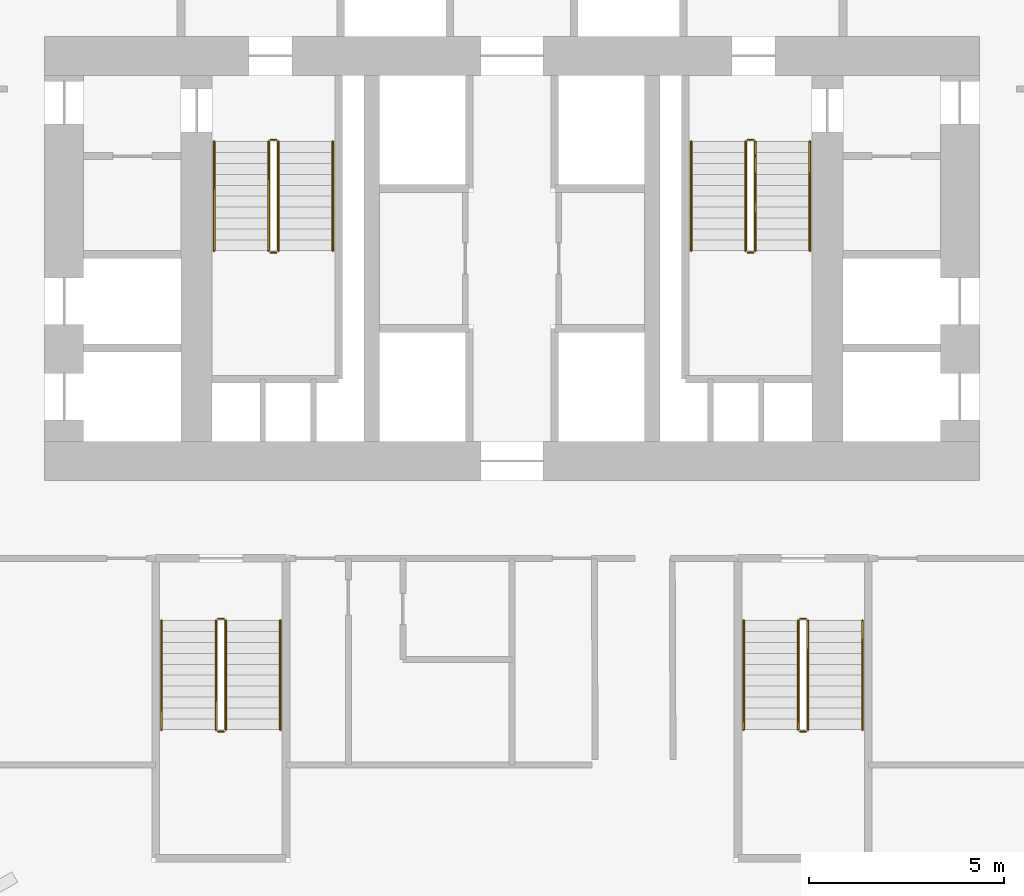
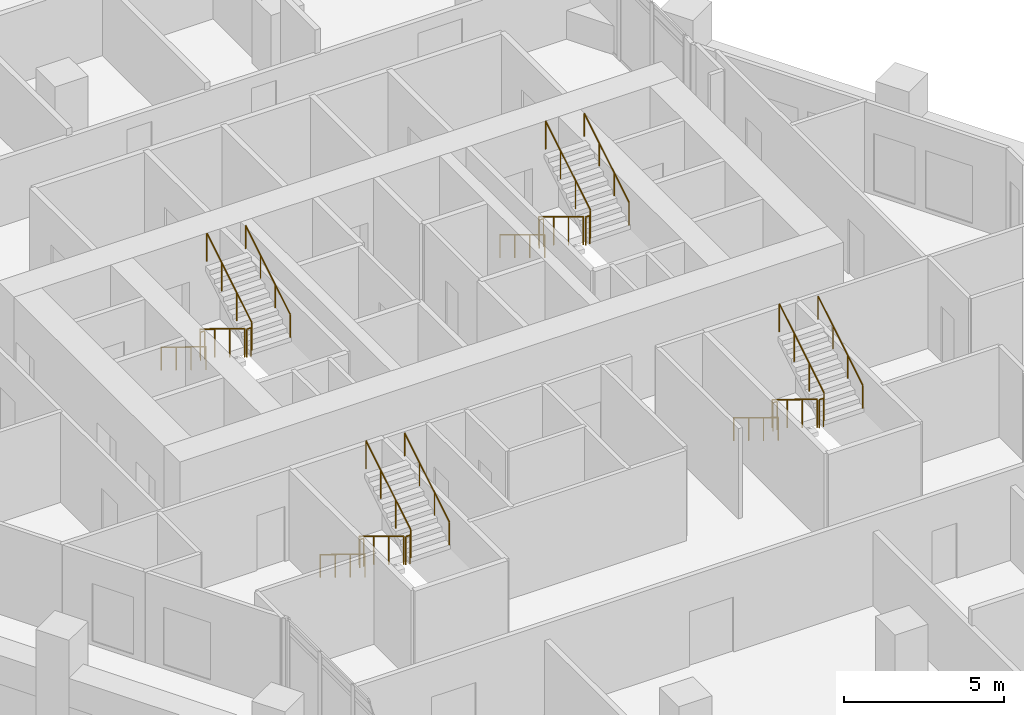
# One storey, part 28 of 28: 24 railings.
"""IFC4 building model written with IfcOpenShell, lengths in metres."""

from ifc_helpers import new_model, si_unit, direction, frame, origin, origin_2d, place, context, subcontext, project, spatial, circle, extrude, material, type_object, element, save


model = new_model("IFC4")

# Units and contexts
model_context = context("Model", 3, precision=1e-05, world=origin(), true_north=direction((0.0, 1.0)))
body_context = subcontext(model_context, "Body", "Model", "MODEL_VIEW")
ifc_project = project(units=[si_unit("LENGTHUNIT", "METRE"), si_unit("AREAUNIT", "SQUARE_METRE"), si_unit("VOLUMEUNIT", "CUBIC_METRE"), si_unit("PLANEANGLEUNIT", "RADIAN"), si_unit("MASSUNIT", "GRAM", prefix="KILO")], contexts=[model_context])

# Site, building, storey
site_placement = place(None, origin())
site = spatial("IfcSite", under=ifc_project, at=site_placement, CompositionType="ELEMENT")
building_placement = place(site_placement, origin())
building = spatial("IfcBuilding", under=site, at=building_placement, Name="Ostrander Bayou Hotel Tower", CompositionType="ELEMENT")
storey_placement = place(building_placement, frame((0.0, 0.0, 104.25)))
storey = spatial("IfcBuildingStorey", under=building, at=storey_placement, Name="L26", CompositionType="ELEMENT", Elevation=104.25)

# Railings
ifc_material_1 = material(Name="Steel ASTM A500 Gr C", Category="steel")
railing_type_1 = type_object("IfcRailingType", Name="GR1 stair guard 1100 mm steel", PredefinedType="GUARDRAIL", material=ifc_material_1)
railing_1_placement = place(storey_placement, frame((-6.25, 7.0, 0.17041015625)))
element("IfcRailing", 1, at=railing_1_placement, inside=storey, type_object=railing_type_1, Name="L26 STA stair guard 1", PredefinedType="GUARDRAIL", context=body_context, shape_type="SweptSolid", body=[
    extrude(circle(Radius=0.02392578125, at=origin_2d()), frame((0.0, 0.0, 1.076171875), z_axis=(0.0, -0.854169791009, 0.51999420009), x_axis=(1.0, 0.0, 0.0)), (0.0, 0.0, 1.0), 3.278076171875),
    extrude(circle(Radius=0.02099609375, at=origin_2d()), origin(), (0.0, 0.0, 1.0), 1.052001953125),
    extrude(circle(Radius=0.02099609375, at=origin_2d()), frame((0.0, -0.933349609375, 0.568115234375)), (0.0, 0.0, 1.0), 1.052001953125),
    extrude(circle(Radius=0.02099609375, at=origin_2d()), frame((0.0, -1.86669921875, 1.136474609375)), (0.0, 0.0, 1.0), 1.052001953125),
    extrude(circle(Radius=0.02099609375, at=origin_2d()), frame((0.0, -2.800048828125, 1.70458984375)), (0.0, 0.0, 1.0), 1.052001953125),
])
railing_2_placement = place(storey_placement, frame((-6.199951171875, 4.14990234375, 1.875)))
element("IfcRailing", 2, at=railing_2_placement, inside=storey, type_object=railing_type_1, Name="L26 STA stair guard 2", PredefinedType="GUARDRAIL", context=body_context, shape_type="SweptSolid", body=[
    extrude(circle(Radius=0.02392578125, at=origin_2d()), frame((0.0, 0.0, 1.076171875), z_axis=(1.0, 0.0, 0.0), x_axis=(0.0, 1.0, 0.0)), (0.0, 0.0, 1.0), 0.14990234375),
    extrude(circle(Radius=0.02099609375, at=origin_2d()), origin(), (0.0, 0.0, 1.0), 1.052001953125),
    extrude(circle(Radius=0.02099609375, at=origin_2d()), frame((0.14990234375, 0.0, 0.0)), (0.0, 0.0, 1.0), 1.052001953125),
])
railing_3_placement = place(storey_placement, frame((-6.0, 4.199951171875, 2.04541015625)))
element("IfcRailing", 3, at=railing_3_placement, inside=storey, type_object=railing_type_1, Name="L26 STA stair guard 3", PredefinedType="GUARDRAIL", context=body_context, shape_type="SweptSolid", body=[
    extrude(circle(Radius=0.02392578125, at=origin_2d()), frame((0.0, 0.0, 1.076171875), z_axis=(0.0, 0.854169791009, 0.51999420009), x_axis=(-1.0, 0.0, 0.0)), (0.0, 0.0, 1.0), 3.278076171875),
    extrude(circle(Radius=0.02099609375, at=origin_2d()), origin(), (0.0, 0.0, 1.0), 1.052001953125),
    extrude(circle(Radius=0.02099609375, at=origin_2d()), frame((0.0, 0.933349609375, 0.568115234375)), (0.0, 0.0, 1.0), 1.052001953125),
    extrude(circle(Radius=0.02099609375, at=origin_2d()), frame((0.0, 1.86669921875, 1.136474609375)), (0.0, 0.0, 1.0), 1.052001953125),
    extrude(circle(Radius=0.02099609375, at=origin_2d()), frame((0.0, 2.800048828125, 1.70458984375)), (0.0, 0.0, 1.0), 1.052001953125),
])
railing_4_placement = place(storey_placement, frame((-6.199951171875, 7.050048828125, 0.0)))
element("IfcRailing", 4, at=railing_4_placement, inside=storey, type_object=railing_type_1, Name="L26 STA stair guard 4", PredefinedType="GUARDRAIL", context=body_context, shape_type="SweptSolid", body=[
    extrude(circle(Radius=0.02392578125, at=origin_2d()), frame((0.0, 0.0, 1.076171875), z_axis=(1.0, 0.0, 0.0), x_axis=(0.0, 1.0, 0.0)), (0.0, 0.0, 1.0), 0.14990234375),
    extrude(circle(Radius=0.02099609375, at=origin_2d()), origin(), (0.0, 0.0, 1.0), 1.052001953125),
    extrude(circle(Radius=0.02099609375, at=origin_2d()), frame((0.14990234375, 0.0, 0.0)), (0.0, 0.0, 1.0), 1.052001953125),
])
railing_5_placement = place(storey_placement, frame((6.0, 7.0, 0.17041015625)))
element("IfcRailing", 5, at=railing_5_placement, inside=storey, type_object=railing_type_1, Name="L26 STB stair guard 1", PredefinedType="GUARDRAIL", context=body_context, shape_type="SweptSolid", body=[
    extrude(circle(Radius=0.02392578125, at=origin_2d()), frame((0.0, 0.0, 1.076171875), z_axis=(0.0, -0.854169791009, 0.51999420009), x_axis=(1.0, 0.0, 0.0)), (0.0, 0.0, 1.0), 3.278076171875),
    extrude(circle(Radius=0.02099609375, at=origin_2d()), origin(), (0.0, 0.0, 1.0), 1.052001953125),
    extrude(circle(Radius=0.02099609375, at=origin_2d()), frame((0.0, -0.933349609375, 0.568115234375)), (0.0, 0.0, 1.0), 1.052001953125),
    extrude(circle(Radius=0.02099609375, at=origin_2d()), frame((0.0, -1.86669921875, 1.136474609375)), (0.0, 0.0, 1.0), 1.052001953125),
    extrude(circle(Radius=0.02099609375, at=origin_2d()), frame((0.0, -2.800048828125, 1.70458984375)), (0.0, 0.0, 1.0), 1.052001953125),
])
railing_6_placement = place(storey_placement, frame((6.050048828125, 4.14990234375, 1.875)))
element("IfcRailing", 6, at=railing_6_placement, inside=storey, type_object=railing_type_1, Name="L26 STB stair guard 2", PredefinedType="GUARDRAIL", context=body_context, shape_type="SweptSolid", body=[
    extrude(circle(Radius=0.02392578125, at=origin_2d()), frame((0.0, 0.0, 1.076171875), z_axis=(1.0, 0.0, 0.0), x_axis=(0.0, 1.0, 0.0)), (0.0, 0.0, 1.0), 0.14990234375),
    extrude(circle(Radius=0.02099609375, at=origin_2d()), origin(), (0.0, 0.0, 1.0), 1.052001953125),
    extrude(circle(Radius=0.02099609375, at=origin_2d()), frame((0.14990234375, 0.0, 0.0)), (0.0, 0.0, 1.0), 1.052001953125),
])
railing_7_placement = place(storey_placement, frame((6.25, 4.199951171875, 2.04541015625)))
element("IfcRailing", 7, at=railing_7_placement, inside=storey, type_object=railing_type_1, Name="L26 STB stair guard 3", PredefinedType="GUARDRAIL", context=body_context, shape_type="SweptSolid", body=[
    extrude(circle(Radius=0.02392578125, at=origin_2d()), frame((0.0, 0.0, 1.076171875), z_axis=(0.0, 0.854169791009, 0.51999420009), x_axis=(-1.0, 0.0, 0.0)), (0.0, 0.0, 1.0), 3.278076171875),
    extrude(circle(Radius=0.02099609375, at=origin_2d()), origin(), (0.0, 0.0, 1.0), 1.052001953125),
    extrude(circle(Radius=0.02099609375, at=origin_2d()), frame((0.0, 0.933349609375, 0.568115234375)), (0.0, 0.0, 1.0), 1.052001953125),
    extrude(circle(Radius=0.02099609375, at=origin_2d()), frame((0.0, 1.86669921875, 1.136474609375)), (0.0, 0.0, 1.0), 1.052001953125),
    extrude(circle(Radius=0.02099609375, at=origin_2d()), frame((0.0, 2.800048828125, 1.70458984375)), (0.0, 0.0, 1.0), 1.052001953125),
])
railing_8_placement = place(storey_placement, frame((6.050048828125, 7.050048828125, 0.0)))
element("IfcRailing", 8, at=railing_8_placement, inside=storey, type_object=railing_type_1, Name="L26 STB stair guard 4", PredefinedType="GUARDRAIL", context=body_context, shape_type="SweptSolid", body=[
    extrude(circle(Radius=0.02392578125, at=origin_2d()), frame((0.0, 0.0, 1.076171875), z_axis=(1.0, 0.0, 0.0), x_axis=(0.0, 1.0, 0.0)), (0.0, 0.0, 1.0), 0.14990234375),
    extrude(circle(Radius=0.02099609375, at=origin_2d()), origin(), (0.0, 0.0, 1.0), 1.052001953125),
    extrude(circle(Radius=0.02099609375, at=origin_2d()), frame((0.14990234375, 0.0, 0.0)), (0.0, 0.0, 1.0), 1.052001953125),
])
railing_9_placement = place(storey_placement, frame((7.35009765625, -5.300048828125, 0.17041015625)))
element("IfcRailing", 9, at=railing_9_placement, inside=storey, type_object=railing_type_1, Name="L26 STC stair guard 1", PredefinedType="GUARDRAIL", context=body_context, shape_type="SweptSolid", body=[
    extrude(circle(Radius=0.02392578125, at=origin_2d()), frame((0.0, 0.0, 1.076171875), z_axis=(0.0, -0.854169791009, 0.51999420009), x_axis=(1.0, 0.0, 0.0)), (0.0, 0.0, 1.0), 3.278076171875),
    extrude(circle(Radius=0.02099609375, at=origin_2d()), origin(), (0.0, 0.0, 1.0), 1.052001953125),
    extrude(circle(Radius=0.02099609375, at=origin_2d()), frame((0.0, -0.933349609375, 0.568115234375)), (0.0, 0.0, 1.0), 1.052001953125),
    extrude(circle(Radius=0.02099609375, at=origin_2d()), frame((0.0, -1.86669921875, 1.136474609375)), (0.0, 0.0, 1.0), 1.052001953125),
    extrude(circle(Radius=0.02099609375, at=origin_2d()), frame((0.0, -2.800048828125, 1.70458984375)), (0.0, 0.0, 1.0), 1.052001953125),
])
railing_10_placement = place(storey_placement, frame((7.39990234375, -8.14990234375, 1.875)))
element("IfcRailing", 10, at=railing_10_placement, inside=storey, type_object=railing_type_1, Name="L26 STC stair guard 2", PredefinedType="GUARDRAIL", context=body_context, shape_type="SweptSolid", body=[
    extrude(circle(Radius=0.02392578125, at=origin_2d()), frame((0.0, 0.0, 1.076171875), z_axis=(1.0, 0.0, 0.0), x_axis=(0.0, 1.0, 0.0)), (0.0, 0.0, 1.0), 0.150146484375),
    extrude(circle(Radius=0.02099609375, at=origin_2d()), origin(), (0.0, 0.0, 1.0), 1.052001953125),
    extrude(circle(Radius=0.02099609375, at=origin_2d()), frame((0.150146484375, 0.0, 0.0)), (0.0, 0.0, 1.0), 1.052001953125),
])
railing_11_placement = place(storey_placement, frame((7.60009765625, -8.10009765625, 2.04541015625)))
element("IfcRailing", 11, at=railing_11_placement, inside=storey, type_object=railing_type_1, Name="L26 STC stair guard 3", PredefinedType="GUARDRAIL", context=body_context, shape_type="SweptSolid", body=[
    extrude(circle(Radius=0.02392578125, at=origin_2d()), frame((0.0, 0.0, 1.076171875), z_axis=(0.0, 0.854169791009, 0.51999420009), x_axis=(-1.0, 0.0, 0.0)), (0.0, 0.0, 1.0), 3.278076171875),
    extrude(circle(Radius=0.02099609375, at=origin_2d()), origin(), (0.0, 0.0, 1.0), 1.052001953125),
    extrude(circle(Radius=0.02099609375, at=origin_2d()), frame((0.0, 0.933349609375, 0.568115234375)), (0.0, 0.0, 1.0), 1.052001953125),
    extrude(circle(Radius=0.02099609375, at=origin_2d()), frame((0.0, 1.86669921875, 1.136474609375)), (0.0, 0.0, 1.0), 1.052001953125),
    extrude(circle(Radius=0.02099609375, at=origin_2d()), frame((0.0, 2.800048828125, 1.70458984375)), (0.0, 0.0, 1.0), 1.052001953125),
])
railing_12_placement = place(storey_placement, frame((7.39990234375, -5.25, 0.0)))
element("IfcRailing", 12, at=railing_12_placement, inside=storey, type_object=railing_type_1, Name="L26 STC stair guard 4", PredefinedType="GUARDRAIL", context=body_context, shape_type="SweptSolid", body=[
    extrude(circle(Radius=0.02392578125, at=origin_2d()), frame((0.0, 0.0, 1.076171875), z_axis=(1.0, 0.0, 0.0), x_axis=(0.0, 1.0, 0.0)), (0.0, 0.0, 1.0), 0.150146484375),
    extrude(circle(Radius=0.02099609375, at=origin_2d()), origin(), (0.0, 0.0, 1.0), 1.052001953125),
    extrude(circle(Radius=0.02099609375, at=origin_2d()), frame((0.150146484375, 0.0, 0.0)), (0.0, 0.0, 1.0), 1.052001953125),
])
railing_13_placement = place(storey_placement, frame((-7.60009765625, -5.300048828125, 0.17041015625)))
element("IfcRailing", 13, at=railing_13_placement, inside=storey, type_object=railing_type_1, Name="L26 STD stair guard 1", PredefinedType="GUARDRAIL", context=body_context, shape_type="SweptSolid", body=[
    extrude(circle(Radius=0.02392578125, at=origin_2d()), frame((0.0, 0.0, 1.076171875), z_axis=(0.0, -0.854169791009, 0.51999420009), x_axis=(1.0, 0.0, 0.0)), (0.0, 0.0, 1.0), 3.278076171875),
    extrude(circle(Radius=0.02099609375, at=origin_2d()), origin(), (0.0, 0.0, 1.0), 1.052001953125),
    extrude(circle(Radius=0.02099609375, at=origin_2d()), frame((0.0, -0.933349609375, 0.568115234375)), (0.0, 0.0, 1.0), 1.052001953125),
    extrude(circle(Radius=0.02099609375, at=origin_2d()), frame((0.0, -1.86669921875, 1.136474609375)), (0.0, 0.0, 1.0), 1.052001953125),
    extrude(circle(Radius=0.02099609375, at=origin_2d()), frame((0.0, -2.800048828125, 1.70458984375)), (0.0, 0.0, 1.0), 1.052001953125),
])
railing_14_placement = place(storey_placement, frame((-7.550048828125, -8.14990234375, 1.875)))
element("IfcRailing", 14, at=railing_14_placement, inside=storey, type_object=railing_type_1, Name="L26 STD stair guard 2", PredefinedType="GUARDRAIL", context=body_context, shape_type="SweptSolid", body=[
    extrude(circle(Radius=0.02392578125, at=origin_2d()), frame((0.0, 0.0, 1.076171875), z_axis=(1.0, 0.0, 0.0), x_axis=(0.0, 1.0, 0.0)), (0.0, 0.0, 1.0), 0.150146484375),
    extrude(circle(Radius=0.02099609375, at=origin_2d()), origin(), (0.0, 0.0, 1.0), 1.052001953125),
    extrude(circle(Radius=0.02099609375, at=origin_2d()), frame((0.150146484375, 0.0, 0.0)), (0.0, 0.0, 1.0), 1.052001953125),
])
railing_15_placement = place(storey_placement, frame((-7.35009765625, -8.10009765625, 2.04541015625)))
element("IfcRailing", 15, at=railing_15_placement, inside=storey, type_object=railing_type_1, Name="L26 STD stair guard 3", PredefinedType="GUARDRAIL", context=body_context, shape_type="SweptSolid", body=[
    extrude(circle(Radius=0.02392578125, at=origin_2d()), frame((0.0, 0.0, 1.076171875), z_axis=(0.0, 0.854169791009, 0.51999420009), x_axis=(-1.0, 0.0, 0.0)), (0.0, 0.0, 1.0), 3.278076171875),
    extrude(circle(Radius=0.02099609375, at=origin_2d()), origin(), (0.0, 0.0, 1.0), 1.052001953125),
    extrude(circle(Radius=0.02099609375, at=origin_2d()), frame((0.0, 0.933349609375, 0.568115234375)), (0.0, 0.0, 1.0), 1.052001953125),
    extrude(circle(Radius=0.02099609375, at=origin_2d()), frame((0.0, 1.86669921875, 1.136474609375)), (0.0, 0.0, 1.0), 1.052001953125),
    extrude(circle(Radius=0.02099609375, at=origin_2d()), frame((0.0, 2.800048828125, 1.70458984375)), (0.0, 0.0, 1.0), 1.052001953125),
])
railing_16_placement = place(storey_placement, frame((-7.550048828125, -5.25, 0.0)))
element("IfcRailing", 16, at=railing_16_placement, inside=storey, type_object=railing_type_1, Name="L26 STD stair guard 4", PredefinedType="GUARDRAIL", context=body_context, shape_type="SweptSolid", body=[
    extrude(circle(Radius=0.02392578125, at=origin_2d()), frame((0.0, 0.0, 1.076171875), z_axis=(1.0, 0.0, 0.0), x_axis=(0.0, 1.0, 0.0)), (0.0, 0.0, 1.0), 0.150146484375),
    extrude(circle(Radius=0.02099609375, at=origin_2d()), origin(), (0.0, 0.0, 1.0), 1.052001953125),
    extrude(circle(Radius=0.02099609375, at=origin_2d()), frame((0.150146484375, 0.0, 0.0)), (0.0, 0.0, 1.0), 1.052001953125),
])
ifc_material_2 = material(Name="Steel ASTM A500 Gr C", Category="steel")
railing_type_2 = type_object("IfcRailingType", Name="HR1 stair handrail 900 mm steel", PredefinedType="HANDRAIL", material=ifc_material_2)
railing_17_placement = place(storey_placement, frame((-7.64990234375, 7.0, 0.17041015625)))
element("IfcRailing", 17, at=railing_17_placement, inside=storey, type_object=railing_type_2, Name="L26 STA stair handrail 1", PredefinedType="HANDRAIL", context=body_context, shape_type="SweptSolid", body=[
    extrude(circle(Radius=0.02392578125, at=origin_2d()), frame((0.0, 0.0, 0.8759765625), z_axis=(0.0, -0.854169791009, 0.51999420009), x_axis=(1.0, 0.0, 0.0)), (0.0, 0.0, 1.0), 3.278076171875),
    extrude(circle(Radius=0.02099609375, at=origin_2d()), origin(), (0.0, 0.0, 1.0), 0.851806640625),
    extrude(circle(Radius=0.02099609375, at=origin_2d()), frame((0.0, -0.933349609375, 0.568115234375)), (0.0, 0.0, 1.0), 0.851806640625),
    extrude(circle(Radius=0.02099609375, at=origin_2d()), frame((0.0, -1.86669921875, 1.136474609375)), (0.0, 0.0, 1.0), 0.851806640625),
    extrude(circle(Radius=0.02099609375, at=origin_2d()), frame((0.0, -2.800048828125, 1.70458984375)), (0.0, 0.0, 1.0), 0.851806640625),
])
railing_18_placement = place(storey_placement, frame((-4.60009765625, 4.199951171875, 2.04541015625)))
element("IfcRailing", 18, at=railing_18_placement, inside=storey, type_object=railing_type_2, Name="L26 STA stair handrail 2", PredefinedType="HANDRAIL", context=body_context, shape_type="SweptSolid", body=[
    extrude(circle(Radius=0.02392578125, at=origin_2d()), frame((0.0, 0.0, 0.8759765625), z_axis=(0.0, 0.854169791009, 0.51999420009), x_axis=(-1.0, 0.0, 0.0)), (0.0, 0.0, 1.0), 3.278076171875),
    extrude(circle(Radius=0.02099609375, at=origin_2d()), origin(), (0.0, 0.0, 1.0), 0.851806640625),
    extrude(circle(Radius=0.02099609375, at=origin_2d()), frame((0.0, 0.933349609375, 0.568115234375)), (0.0, 0.0, 1.0), 0.851806640625),
    extrude(circle(Radius=0.02099609375, at=origin_2d()), frame((0.0, 1.86669921875, 1.136474609375)), (0.0, 0.0, 1.0), 0.851806640625),
    extrude(circle(Radius=0.02099609375, at=origin_2d()), frame((0.0, 2.800048828125, 1.70458984375)), (0.0, 0.0, 1.0), 0.851806640625),
])
railing_19_placement = place(storey_placement, frame((4.60009765625, 7.0, 0.17041015625)))
element("IfcRailing", 19, at=railing_19_placement, inside=storey, type_object=railing_type_2, Name="L26 STB stair handrail 1", PredefinedType="HANDRAIL", context=body_context, shape_type="SweptSolid", body=[
    extrude(circle(Radius=0.02392578125, at=origin_2d()), frame((0.0, 0.0, 0.8759765625), z_axis=(0.0, -0.854169791009, 0.51999420009), x_axis=(1.0, 0.0, 0.0)), (0.0, 0.0, 1.0), 3.278076171875),
    extrude(circle(Radius=0.02099609375, at=origin_2d()), origin(), (0.0, 0.0, 1.0), 0.851806640625),
    extrude(circle(Radius=0.02099609375, at=origin_2d()), frame((0.0, -0.933349609375, 0.568115234375)), (0.0, 0.0, 1.0), 0.851806640625),
    extrude(circle(Radius=0.02099609375, at=origin_2d()), frame((0.0, -1.86669921875, 1.136474609375)), (0.0, 0.0, 1.0), 0.851806640625),
    extrude(circle(Radius=0.02099609375, at=origin_2d()), frame((0.0, -2.800048828125, 1.70458984375)), (0.0, 0.0, 1.0), 0.851806640625),
])
railing_20_placement = place(storey_placement, frame((7.64990234375, 4.199951171875, 2.04541015625)))
element("IfcRailing", 20, at=railing_20_placement, inside=storey, type_object=railing_type_2, Name="L26 STB stair handrail 2", PredefinedType="HANDRAIL", context=body_context, shape_type="SweptSolid", body=[
    extrude(circle(Radius=0.02392578125, at=origin_2d()), frame((0.0, 0.0, 0.8759765625), z_axis=(0.0, 0.854169791009, 0.51999420009), x_axis=(-1.0, 0.0, 0.0)), (0.0, 0.0, 1.0), 3.278076171875),
    extrude(circle(Radius=0.02099609375, at=origin_2d()), origin(), (0.0, 0.0, 1.0), 0.851806640625),
    extrude(circle(Radius=0.02099609375, at=origin_2d()), frame((0.0, 0.933349609375, 0.568115234375)), (0.0, 0.0, 1.0), 0.851806640625),
    extrude(circle(Radius=0.02099609375, at=origin_2d()), frame((0.0, 1.86669921875, 1.136474609375)), (0.0, 0.0, 1.0), 0.851806640625),
    extrude(circle(Radius=0.02099609375, at=origin_2d()), frame((0.0, 2.800048828125, 1.70458984375)), (0.0, 0.0, 1.0), 0.851806640625),
])
railing_21_placement = place(storey_placement, frame((5.949951171875, -5.300048828125, 0.17041015625)))
element("IfcRailing", 21, at=railing_21_placement, inside=storey, type_object=railing_type_2, Name="L26 STC stair handrail 1", PredefinedType="HANDRAIL", context=body_context, shape_type="SweptSolid", body=[
    extrude(circle(Radius=0.02392578125, at=origin_2d()), frame((0.0, 0.0, 0.8759765625), z_axis=(0.0, -0.854169791009, 0.51999420009), x_axis=(1.0, 0.0, 0.0)), (0.0, 0.0, 1.0), 3.278076171875),
    extrude(circle(Radius=0.02099609375, at=origin_2d()), origin(), (0.0, 0.0, 1.0), 0.851806640625),
    extrude(circle(Radius=0.02099609375, at=origin_2d()), frame((0.0, -0.933349609375, 0.568115234375)), (0.0, 0.0, 1.0), 0.851806640625),
    extrude(circle(Radius=0.02099609375, at=origin_2d()), frame((0.0, -1.86669921875, 1.136474609375)), (0.0, 0.0, 1.0), 0.851806640625),
    extrude(circle(Radius=0.02099609375, at=origin_2d()), frame((0.0, -2.800048828125, 1.70458984375)), (0.0, 0.0, 1.0), 0.851806640625),
])
railing_22_placement = place(storey_placement, frame((9.0, -8.10009765625, 2.04541015625)))
element("IfcRailing", 22, at=railing_22_placement, inside=storey, type_object=railing_type_2, Name="L26 STC stair handrail 2", PredefinedType="HANDRAIL", context=body_context, shape_type="SweptSolid", body=[
    extrude(circle(Radius=0.02392578125, at=origin_2d()), frame((0.0, 0.0, 0.8759765625), z_axis=(0.0, 0.854169791009, 0.51999420009), x_axis=(-1.0, 0.0, 0.0)), (0.0, 0.0, 1.0), 3.278076171875),
    extrude(circle(Radius=0.02099609375, at=origin_2d()), origin(), (0.0, 0.0, 1.0), 0.851806640625),
    extrude(circle(Radius=0.02099609375, at=origin_2d()), frame((0.0, 0.933349609375, 0.568115234375)), (0.0, 0.0, 1.0), 0.851806640625),
    extrude(circle(Radius=0.02099609375, at=origin_2d()), frame((0.0, 1.86669921875, 1.136474609375)), (0.0, 0.0, 1.0), 0.851806640625),
    extrude(circle(Radius=0.02099609375, at=origin_2d()), frame((0.0, 2.800048828125, 1.70458984375)), (0.0, 0.0, 1.0), 0.851806640625),
])
railing_23_placement = place(storey_placement, frame((-9.0, -5.300048828125, 0.17041015625)))
element("IfcRailing", 23, at=railing_23_placement, inside=storey, type_object=railing_type_2, Name="L26 STD stair handrail 1", PredefinedType="HANDRAIL", context=body_context, shape_type="SweptSolid", body=[
    extrude(circle(Radius=0.02392578125, at=origin_2d()), frame((0.0, 0.0, 0.8759765625), z_axis=(0.0, -0.854169791009, 0.51999420009), x_axis=(1.0, 0.0, 0.0)), (0.0, 0.0, 1.0), 3.278076171875),
    extrude(circle(Radius=0.02099609375, at=origin_2d()), origin(), (0.0, 0.0, 1.0), 0.851806640625),
    extrude(circle(Radius=0.02099609375, at=origin_2d()), frame((0.0, -0.933349609375, 0.568115234375)), (0.0, 0.0, 1.0), 0.851806640625),
    extrude(circle(Radius=0.02099609375, at=origin_2d()), frame((0.0, -1.86669921875, 1.136474609375)), (0.0, 0.0, 1.0), 0.851806640625),
    extrude(circle(Radius=0.02099609375, at=origin_2d()), frame((0.0, -2.800048828125, 1.70458984375)), (0.0, 0.0, 1.0), 0.851806640625),
])
railing_24_placement = place(storey_placement, frame((-5.949951171875, -8.10009765625, 2.04541015625)))
element("IfcRailing", 24, at=railing_24_placement, inside=storey, type_object=railing_type_2, Name="L26 STD stair handrail 2", PredefinedType="HANDRAIL", context=body_context, shape_type="SweptSolid", body=[
    extrude(circle(Radius=0.02392578125, at=origin_2d()), frame((0.0, 0.0, 0.8759765625), z_axis=(0.0, 0.854169791009, 0.51999420009), x_axis=(-1.0, 0.0, 0.0)), (0.0, 0.0, 1.0), 3.278076171875),
    extrude(circle(Radius=0.02099609375, at=origin_2d()), origin(), (0.0, 0.0, 1.0), 0.851806640625),
    extrude(circle(Radius=0.02099609375, at=origin_2d()), frame((0.0, 0.933349609375, 0.568115234375)), (0.0, 0.0, 1.0), 0.851806640625),
    extrude(circle(Radius=0.02099609375, at=origin_2d()), frame((0.0, 1.86669921875, 1.136474609375)), (0.0, 0.0, 1.0), 0.851806640625),
    extrude(circle(Radius=0.02099609375, at=origin_2d()), frame((0.0, 2.800048828125, 1.70458984375)), (0.0, 0.0, 1.0), 0.851806640625),
])

save(model, "model.ifc")
